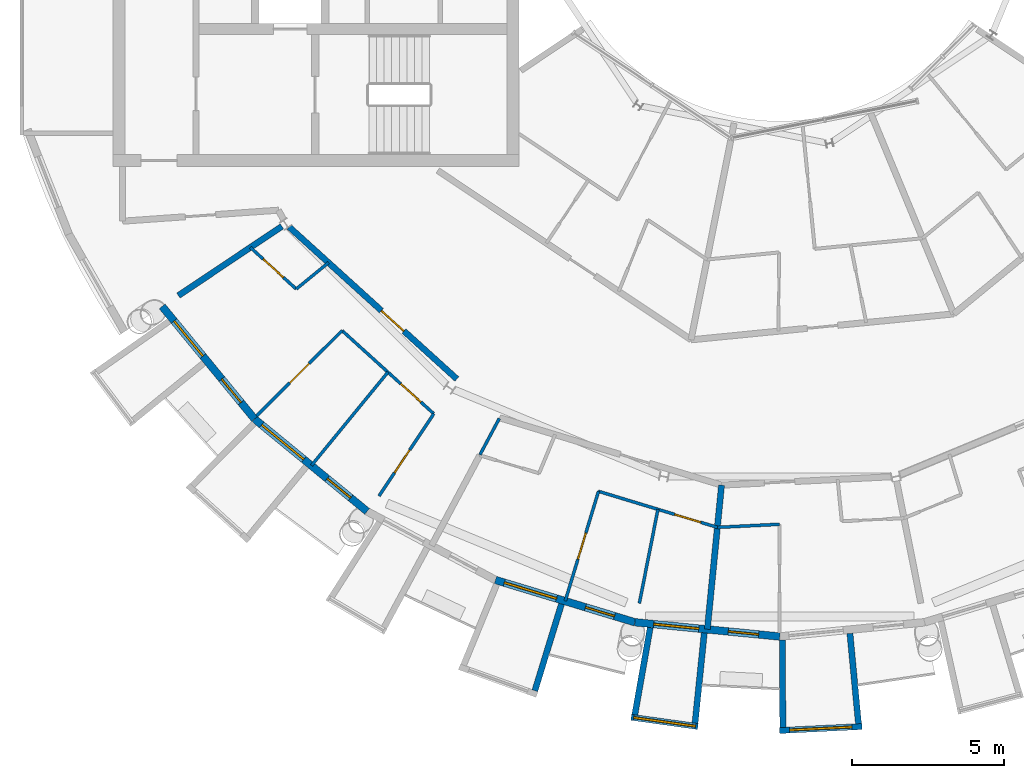
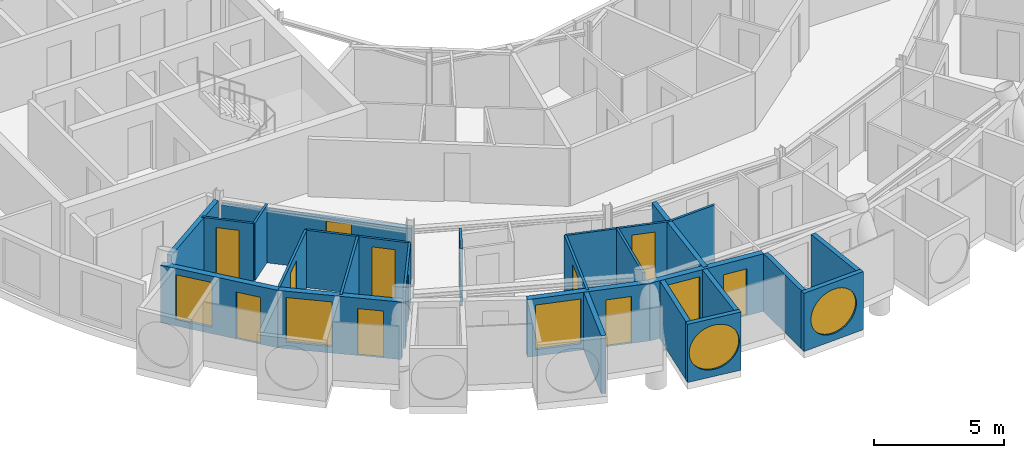
# One storey, part 14 of 27: 25 walls, 11 doors, 6 windows, 17 openings.
"""IFC4 building model written with IfcOpenShell, lengths in metres."""

import ifcopenshell
import ifcopenshell.guid

model = None  # the IFC model being written
_history = None  # IfcOwnerHistory: only IFC2X3 demands one
_inside = {}  # id of a spatial element -> (the spatial element, [elements in it])
_under = {}  # id of a project, library or spatial element -> (it, [spatial elements below it])
_declared = {}  # id of a project -> (the project, [libraries it declares])
_typed = {}  # id of a type object -> (the type object, [elements of that type])
_made_of = {}  # id of a material, layer set ... -> (it, [elements and type objects made of it])


def new_model(schema):
    """Start an empty IFC model of exactly this schema.

    Asked for "IFC4X3", IfcOpenShell would pick the latest addendum, in which some entities
    have other attributes; the version numbers below select the first issue.
    IFC2X3 requires an IfcOwnerHistory on every rooted entity: one is made here for all.
    """
    global model, _history
    if schema == "IFC4X3":
        model = ifcopenshell.file(schema_version=(4, 3, 0, 0))
    else:
        model = ifcopenshell.file(schema=schema)
    _inside.clear()
    _under.clear()
    _declared.clear()
    _typed.clear()
    _made_of.clear()
    _history = None
    if model.schema == "IFC2X3":
        org = make("IfcOrganization", Name="unknown")
        user = make(
            "IfcPersonAndOrganization",
            ThePerson=make("IfcPerson", FamilyName="unknown"),
            TheOrganization=org,
        )
        app = make(
            "IfcApplication",
            ApplicationDeveloper=org,
            Version="unknown",
            ApplicationFullName="unknown",
            ApplicationIdentifier="unknown",
        )
        _history = make(
            "IfcOwnerHistory",
            OwningUser=user,
            OwningApplication=app,
            ChangeAction="ADDED",
            CreationDate=0,
        )
    return model


def make(cls, **values):
    """One entity of the class cls with the attributes given. An attribute that is None is left unset."""
    return model.create_entity(
        cls, **{name: value for name, value in values.items() if value is not None}
    )


def rooted(cls, **values):
    """An entity with a GlobalId (a new one), such as an element, a storey or a relation."""
    return make(cls, GlobalId=ifcopenshell.guid.new(), OwnerHistory=_history, **values)


def si_unit(unit_type, name, prefix=None):
    """IfcSIUnit, for example si_unit("LENGTHUNIT", "METRE", prefix="MILLI")."""
    return make("IfcSIUnit", UnitType=unit_type, Prefix=prefix, Name=name)


def assignment(units):
    """IfcUnitAssignment: the units of a project."""
    return None if units is None else make("IfcUnitAssignment", Units=units)


def point(xyz):
    """IfcCartesianPoint."""
    return None if xyz is None else make("IfcCartesianPoint", Coordinates=xyz)


def direction(xyz):
    """IfcDirection."""
    return None if xyz is None else make("IfcDirection", DirectionRatios=xyz)


def frame(location, z_axis=None, x_axis=None):
    """IfcAxis2Placement3D, a coordinate frame: its origin and axes. An axis left out is left unset."""
    return make(
        "IfcAxis2Placement3D",
        Location=point(location),
        Axis=direction(z_axis),
        RefDirection=direction(x_axis),
    )


def frame_2d(location, x_axis=None):
    """IfcAxis2Placement2D, a coordinate frame in the plane: its origin and x axis."""
    return make(
        "IfcAxis2Placement2D", Location=point(location), RefDirection=direction(x_axis)
    )


def origin():
    """The frame at (0, 0, 0) with its axes left unset."""
    return frame((0.0, 0.0, 0.0))


def place(relative_to, where):
    """IfcLocalPlacement: puts the frame where relative to a parent placement (None: the world)."""
    return make(
        "IfcLocalPlacement", PlacementRelTo=relative_to, RelativePlacement=where
    )


def context(
    kind, dimensions, precision=None, world=None, true_north=None, identifier=None
):
    """IfcGeometricRepresentationContext, for example the 3D "Model" context."""
    return make(
        "IfcGeometricRepresentationContext",
        ContextIdentifier=identifier,
        ContextType=kind,
        CoordinateSpaceDimension=dimensions,
        Precision=precision,
        WorldCoordinateSystem=world,
        TrueNorth=true_north,
    )


def subcontext(parent, identifier, kind, view, scale=None):
    """IfcGeometricRepresentationSubContext, for example "Body" below "Model"."""
    return make(
        "IfcGeometricRepresentationSubContext",
        ContextIdentifier=identifier,
        ContextType=kind,
        ParentContext=parent,
        TargetScale=scale,
        TargetView=view,
    )


def project(units=None, contexts=None):
    """IfcProject with its units and contexts."""
    return rooted(
        "IfcProject",
        Name="project",
        RepresentationContexts=contexts,
        UnitsInContext=assignment(units),
    )


def spatial(cls, under=None, at=None, **own):
    """A site, building, storey or space (cls), placed at a placement, below another one or the project."""
    s = rooted(cls, ObjectPlacement=at, **own)
    if under is not None:
        _under.setdefault(under.id(), (under, []))[1].append(s)
    return s


def profile(cls, at=None, kind="AREA", **sizes):
    """A parametric profile (cls). Its sizes go by their IFC names, for example OverallWidth=200.0."""
    return make(cls, ProfileType=kind, Position=at, **sizes)


def rectangle(**sizes):
    """IfcRectangleProfileDef."""
    return profile("IfcRectangleProfileDef", **sizes)


def circle(**sizes):
    """IfcCircleProfileDef."""
    return profile("IfcCircleProfileDef", **sizes)


def extrude(swept, where, along, depth):
    """IfcExtrudedAreaSolid: the profile swept, set in the frame where, extruded along a direction by depth."""
    return make(
        "IfcExtrudedAreaSolid",
        SweptArea=swept,
        Position=where,
        ExtrudedDirection=direction(along),
        Depth=depth,
    )


def shape(context_of_items, identifier, shape_type, items):
    """IfcShapeRepresentation: the items that make up one representation, for example the "Body"."""
    return make(
        "IfcShapeRepresentation",
        ContextOfItems=context_of_items,
        RepresentationIdentifier=identifier,
        RepresentationType=shape_type,
        Items=items,
    )


def material(Name=None, Category=None):
    """IfcMaterial."""
    return make("IfcMaterial", Name=Name, Category=Category)


def layer(
    of_material, thickness, ventilated=None, Name=None, Category=None, Priority=None
):
    """IfcMaterialLayer: one layer of a wall or slab, of a material (None: an air gap)."""
    return make(
        "IfcMaterialLayer",
        Material=of_material,
        LayerThickness=thickness,
        IsVentilated=ventilated,
        Name=Name,
        Category=Category,
        Priority=Priority,
    )


def layer_set(layers, Name=None):
    """IfcMaterialLayerSet."""
    return make("IfcMaterialLayerSet", MaterialLayers=layers, LayerSetName=Name)


def made_of(thing, what):
    """Note that an element or type object is made of a material, layer set ...; save() writes the relation."""
    if what is not None:
        _made_of.setdefault(what.id(), (what, []))[1].append(thing)
    return thing


def type_object(cls, material=None, **own):
    """A type object (cls), such as IfcWallType, which elements share."""
    return made_of(rooted(cls, **own), material)


def element(
    cls,
    number,
    at=None,
    inside=None,
    cuts=None,
    type_object=None,
    material=None,
    context=None,
    identifier="Body",
    shape_type=None,
    held_by="IfcProductDefinitionShape",
    body=None,
    shapes=None,
    **own,
):
    """One element of the class cls, such as IfcWall. Its Tag is "e" and its number.

    at: its placement. inside: the storey or other place that contains it. cuts: it is an
    opening in that element (IfcRelVoidsElement). A single representation is given by context,
    identifier, shape_type and body (its items); several are given by shapes. held_by: the class
    of the entity that holds the representations. save() writes the other relations.
    """
    e = rooted(cls, Tag="e%d" % number, ObjectPlacement=at, **own)
    if body is not None:
        shapes = [shape(context, identifier, shape_type, body)]
    if shapes is not None:
        e.Representation = make(held_by, Representations=shapes)
    if inside is not None:
        _inside.setdefault(inside.id(), (inside, []))[1].append(e)
    if cuts is not None:
        rooted(
            "IfcRelVoidsElement", RelatingBuildingElement=cuts, RelatedOpeningElement=e
        )
    if type_object is not None:
        _typed.setdefault(type_object.id(), (type_object, []))[1].append(e)
    return made_of(e, material)


def fill(opening, filler):
    """IfcRelFillsElement: the door or window that sits in an opening."""
    return rooted(
        "IfcRelFillsElement",
        RelatingOpeningElement=opening,
        RelatedBuildingElement=filler,
    )


def aggregate(whole, parts):
    """IfcRelAggregates: a whole, such as a stair, and the parts it consists of."""
    return rooted("IfcRelAggregates", RelatingObject=whole, RelatedObjects=parts)


def save(model, path):
    """Write the relations noted so far, then the file.

    IfcRelAggregates (storeys below a building ...), IfcRelContainedInSpatialStructure (elements
    in a storey), IfcRelDefinesByType, IfcRelAssociatesMaterial and IfcRelDeclares: one each for
    every whole, place, type object, material and project.
    """
    for whole, parts in _under.values():
        aggregate(whole, parts)
    for where, things in _inside.values():
        rooted(
            "IfcRelContainedInSpatialStructure",
            RelatedElements=things,
            RelatingStructure=where,
        )
    for kind, things in _typed.values():
        rooted("IfcRelDefinesByType", RelatedObjects=things, RelatingType=kind)
    for what, things in _made_of.values():
        rooted("IfcRelAssociatesMaterial", RelatedObjects=things, RelatingMaterial=what)
    for by, libraries in _declared.values():
        rooted("IfcRelDeclares", RelatingContext=by, RelatedDefinitions=libraries)
    model.write(path)


model = new_model("IFC4")

# Units and contexts
model_context = context("Model", 3, precision=1e-05, world=origin(), true_north=direction((0.0, 1.0)))
body_context = subcontext(model_context, "Body", "Model", "MODEL_VIEW")
ifc_project = project(units=[si_unit("LENGTHUNIT", "METRE"), si_unit("AREAUNIT", "SQUARE_METRE"), si_unit("VOLUMEUNIT", "CUBIC_METRE"), si_unit("PLANEANGLEUNIT", "RADIAN"), si_unit("MASSUNIT", "GRAM", prefix="KILO")], contexts=[model_context])

# Site, building, storey
site_placement = place(None, origin())
site = spatial("IfcSite", under=ifc_project, at=site_placement, CompositionType="ELEMENT")
building_placement = place(site_placement, origin())
building = spatial("IfcBuilding", under=site, at=building_placement, Name="Maasbend Ring Residences", CompositionType="ELEMENT")
storey_placement = place(building_placement, frame((0.0, 0.0, 243.199951171875)))
storey = spatial("IfcBuildingStorey", under=building, at=storey_placement, Name="L70", CompositionType="ELEMENT", Elevation=243.199951171875)

# Wall, opening, door
ifc_material_1 = material(Name="Concrete C30/37", Category="concrete")
ifc_layer_1 = layer(ifc_material_1, 0.199951171875)
ifc_layer_set_1 = layer_set([ifc_layer_1], Name="Concrete C30/37")
wall_type_1 = type_object("IfcWallType", Name="CORRIDOR WALL 200 CONCRETE", PredefinedType="PARTITIONING", material=ifc_layer_set_1)
wall_1_placement = place(storey_placement, frame((-16.181884765625, -10.992919921875, 0.0), z_axis=(0.0, 0.0, 1.0), x_axis=(0.740939653983, -0.671571611339, 0.0)))
wall_1 = element("IfcWall", 1, at=wall_1_placement, inside=storey, type_object=wall_type_1, Name="U-L70-w019", PredefinedType="PARTITIONING", context=body_context, shape_type="SweptSolid", body=[
    extrude(rectangle(XDim=7.46484375, YDim=0.199951171875, at=frame_2d((3.732421875, 0.0))), origin(), (0.0, 0.0, 1.0), 2.449951171875),
])
opening_1_placement = place(wall_1_placement, frame((4.10693359375, 0.0, 0.0)))
opening_1 = element("IfcOpeningElement", 2, at=opening_1_placement, cuts=wall_1, Name="Opening D-7032", PredefinedType="OPENING", context=body_context, shape_type="SweptSolid", body=[
    extrude(rectangle(XDim=1.0, YDim=2.300048828125, at=frame_2d((0.5, 1.14990234375))), frame((0.0, 0.10986328125, 0.0), z_axis=(0.0, -1.0, 0.0), x_axis=(1.0, 0.0, 0.0)), (0.0, 0.0, 1.0), 0.219970703125),
])
ifc_material_2 = material(Name="Timber, fire-rated, painted", Category="wood")
door_type_1 = type_object("IfcDoorType", Name="FLAT ENTRANCE DOOR 1000 X 2300 FIRE-RATED", OperationType="NOTDEFINED", PredefinedType="DOOR", material=ifc_material_2)
door_1_placement = place(opening_1_placement, origin())
door_1 = element("IfcDoor", 3, at=door_1_placement, inside=storey, type_object=door_type_1, Name="D-7032", OperationType="SINGLE_SWING_RIGHT", OverallHeight=2.300048828125, OverallWidth=1.0, PredefinedType="DOOR", context=body_context, shape_type="SweptSolid", body=[
    extrude(rectangle(XDim=1.0, YDim=2.300048828125, at=frame_2d((0.5, 1.14990234375))), frame((0.0, 0.02490234375, 0.0), z_axis=(0.0, -1.0, 0.0), x_axis=(1.0, 0.0, 0.0)), (0.0, 0.0, 1.0), 0.050048828125),
])
fill(opening_1, door_1)

# Wall
ifc_material_3 = material(Name="Pale anodised aluminium panel", Category="aluminium")
ifc_layer_2 = layer(ifc_material_3, 0.199951171875)
ifc_layer_set_2 = layer_set([ifc_layer_2], Name="EW-BOX")
wall_type_2 = type_object("IfcWallType", Name="EW-BOX", PredefinedType="SOLIDWALL", material=ifc_layer_set_2)
wall_2_placement = place(storey_placement, frame((-7.198974609375, -23.426025390625, -0.030029296875), z_axis=(0.0, 0.0, 1.0), x_axis=(-0.293764720054, -0.95587775853, 0.0)))
element("IfcWall", 4, at=wall_2_placement, inside=storey, type_object=wall_type_2, Name="Box side wall S07 right", PredefinedType="SOLIDWALL", context=body_context, shape_type="SweptSolid", body=[
    extrude(rectangle(XDim=2.991943359375, YDim=0.199951171875, at=frame_2d((1.49609375, 0.0))), origin(), (0.0, 0.0, 1.0), 2.72998046875),
])

# Wall, opening, window
wall_3_placement = place(storey_placement, frame((-4.90087890625, -27.160888671875, -0.030029296875), z_axis=(0.0, 0.0, 1.0), x_axis=(0.990395097224, -0.138266233748, 0.0)))
wall_3 = element("IfcWall", 5, at=wall_3_placement, inside=storey, type_object=wall_type_2, Name="Box front S09", PredefinedType="SOLIDWALL", context=body_context, shape_type="SweptSolid", body=[
    extrude(rectangle(XDim=2.22119140625, YDim=0.199951171875, at=frame_2d((1.110595703125, 0.0))), origin(), (0.0, 0.0, 1.0), 2.72998046875),
])
opening_2_placement = place(wall_3_placement, frame((0.070556640625, 0.0, 0.330078125)))
opening_2 = element("IfcOpeningElement", 6, at=opening_2_placement, cuts=wall_3, Name="Opening W-RD", PredefinedType="OPENING", context=body_context, shape_type="SweptSolid", body=[
    extrude(circle(Radius=1.0400390625, at=frame_2d((1.0400390625, 1.0400390625))), frame((0.0, 0.10986328125, 0.0), z_axis=(0.0, -1.0, 0.0), x_axis=(1.0, 0.0, 0.0)), (0.0, 0.0, 1.0), 0.219970703125),
])
ifc_material_4 = material(Name="Aluminium and clear glass", Category="aluminium")
window_type_1 = type_object("IfcWindowType", Name="W-RD", PartitioningType="SINGLE_PANEL", PredefinedType="WINDOW", material=ifc_material_4)
window_1_placement = place(opening_2_placement, origin())
window_1 = element("IfcWindow", 7, at=window_1_placement, inside=storey, type_object=window_type_1, Name="Round window S09", OverallHeight=2.080078125, OverallWidth=2.080078125, PartitioningType="SINGLE_PANEL", PredefinedType="WINDOW", context=body_context, shape_type="SweptSolid", body=[
    extrude(circle(Radius=1.0400390625, at=frame_2d((1.0400390625, 1.0400390625))), frame((0.0, 0.030029296875, 0.0), z_axis=(0.0, -1.0, 0.0), x_axis=(1.0, 0.0, 0.0)), (0.0, 0.0, 1.0), 0.06005859375),
])
fill(opening_2, window_1)

# Walls
wall_4_placement = place(storey_placement, frame((-4.27392578125, -24.205078125, -0.030029296875), z_axis=(0.0, 0.0, 1.0), x_axis=(-0.173637488752, -0.984809637697, 0.0)))
element("IfcWall", 8, at=wall_4_placement, inside=storey, type_object=wall_type_2, Name="Box side wall S09 left", PredefinedType="SOLIDWALL", context=body_context, shape_type="SweptSolid", body=[
    extrude(rectangle(XDim=2.92041015625, YDim=0.199951171875, at=frame_2d((1.460205078125, 0.0))), origin(), (0.0, 0.0, 1.0), 2.72998046875),
])
wall_5_placement = place(storey_placement, frame((-2.489990234375, -24.3798828125, -0.030029296875), z_axis=(0.0, 0.0, 1.0), x_axis=(-0.101894312119, -0.994795229762, 0.0)))
element("IfcWall", 9, at=wall_5_placement, inside=storey, type_object=wall_type_2, Name="Box side wall S09 right", PredefinedType="SOLIDWALL", context=body_context, shape_type="SweptSolid", body=[
    extrude(rectangle(XDim=2.99267578125, YDim=0.199951171875, at=frame_2d((1.496337890625, 0.0))), origin(), (0.0, 0.0, 1.0), 2.72998046875),
])

# Wall, opening, window
wall_6_placement = place(storey_placement, frame((-0.0048828125, -27.60009765625, -0.030029296875), z_axis=(0.0, 0.0, 1.0), x_axis=(0.998801130548, 0.048952033826, 0.0)))
wall_6 = element("IfcWall", 10, at=wall_6_placement, inside=storey, type_object=wall_type_2, Name="Box front S11", PredefinedType="SOLIDWALL", context=body_context, shape_type="SweptSolid", body=[
    extrude(rectangle(XDim=2.718017578125, YDim=0.199951171875, at=frame_2d((1.35888671875, 0.0))), origin(), (0.0, 0.0, 1.0), 2.72998046875),
])
opening_3_placement = place(wall_6_placement, frame((0.319091796875, 0.0, 0.330078125)))
opening_3 = element("IfcOpeningElement", 11, at=opening_3_placement, cuts=wall_6, Name="Opening W-RD", PredefinedType="OPENING", context=body_context, shape_type="SweptSolid", body=[
    extrude(circle(Radius=1.0400390625, at=frame_2d((1.0400390625, 1.0400390625))), frame((0.0, 0.10986328125, 0.0), z_axis=(0.0, -1.0, 0.0), x_axis=(1.0, 0.0, 0.0)), (0.0, 0.0, 1.0), 0.219970703125),
])
window_2_placement = place(opening_3_placement, origin())
window_2 = element("IfcWindow", 12, at=window_2_placement, inside=storey, type_object=window_type_1, Name="Round window S11", OverallHeight=2.080078125, OverallWidth=2.080078125, PartitioningType="SINGLE_PANEL", PredefinedType="WINDOW", context=body_context, shape_type="SweptSolid", body=[
    extrude(circle(Radius=1.0400390625, at=frame_2d((1.0400390625, 1.0400390625))), frame((0.0, 0.030029296875, 0.0), z_axis=(0.0, -1.0, 0.0), x_axis=(1.0, 0.0, 0.0)), (0.0, 0.0, 1.0), 0.06005859375),
])
fill(opening_3, window_2)

# Walls
wall_7_placement = place(storey_placement, frame((0.089111328125, -24.616943359375, -0.030029296875), z_axis=(0.0, 0.0, 1.0), x_axis=(0.003811916396, -0.99999273462, 0.0)))
element("IfcWall", 13, at=wall_7_placement, inside=storey, type_object=wall_type_2, Name="Box side wall S11 left", PredefinedType="SOLIDWALL", context=body_context, shape_type="SweptSolid", body=[
    extrude(rectangle(XDim=2.882080078125, YDim=0.199951171875, at=frame_2d((1.44091796875, 0.0))), origin(), (0.0, 0.0, 1.0), 2.72998046875),
])
wall_8_placement = place(storey_placement, frame((2.31396484375, -24.39794921875, -0.030029296875), z_axis=(0.0, 0.0, 1.0), x_axis=(0.094235386483, -0.99554994447, 0.0)))
element("IfcWall", 14, at=wall_8_placement, inside=storey, type_object=wall_type_2, Name="Box side wall S11 right", PredefinedType="SOLIDWALL", context=body_context, shape_type="SweptSolid", body=[
    extrude(rectangle(XDim=2.992431640625, YDim=0.199951171875, at=frame_2d((1.49609375, 0.0))), origin(), (0.0, 0.0, 1.0), 2.72998046875),
])

# Wall, openings, door, window
ifc_material_5 = material(Name="Aluminium clad insulated panel", Category="aluminium")
ifc_layer_3 = layer(ifc_material_5, 0.25)
ifc_layer_set_3 = layer_set([ifc_layer_3], Name="EW-GL")
wall_type_3 = type_object("IfcWallType", Name="EW-GL", PredefinedType="SOLIDWALL", material=ifc_layer_set_3)
wall_9_placement = place(storey_placement, frame((-20.37109375, -13.611083984375, 0.0), z_axis=(0.0, 0.0, 1.0), x_axis=(0.634396836208, -0.773007538262, 0.0)))
wall_9 = element("IfcWall", 15, at=wall_9_placement, inside=storey, type_object=wall_type_3, Name="External wall S01", PredefinedType="SOLIDWALL", context=body_context, shape_type="SweptSolid", body=[
    extrude(rectangle(XDim=4.80322265625, YDim=0.25, at=frame_2d((2.401611328125, 0.0))), origin(), (0.0, 0.0, 1.0), 2.699951171875),
])
opening_4_placement = place(wall_9_placement, frame((0.6201171875, 0.0, 0.300048828125)))
opening_4 = element("IfcOpeningElement", 16, at=opening_4_placement, cuts=wall_9, Name="Opening W-BN", PredefinedType="OPENING", context=body_context, shape_type="SweptSolid", body=[
    extrude(rectangle(XDim=1.5, YDim=2.10009765625, at=frame_2d((0.75, 1.050048828125))), frame((0.0, 0.135009765625, 0.0), z_axis=(0.0, -1.0, 0.0), x_axis=(1.0, 0.0, 0.0)), (0.0, 0.0, 1.0), 0.27001953125),
])
opening_5_placement = place(wall_9_placement, frame((3.09912109375, 0.0, 0.0)))
opening_5 = element("IfcOpeningElement", 17, at=opening_5_placement, cuts=wall_9, Name="Opening D-LG", PredefinedType="OPENING", context=body_context, shape_type="SweptSolid", body=[
    extrude(rectangle(XDim=1.0, YDim=2.199951171875, at=frame_2d((0.5, 1.10009765625))), frame((0.0, 0.135009765625, 0.0), z_axis=(0.0, -1.0, 0.0), x_axis=(1.0, 0.0, 0.0)), (0.0, 0.0, 1.0), 0.27001953125),
])
ifc_material_6 = material(Name="Aluminium and clear glass", Category="aluminium")
door_type_2 = type_object("IfcDoorType", Name="D-LG", OperationType="SINGLE_SWING_LEFT", PredefinedType="DOOR", material=ifc_material_6)
door_2_placement = place(opening_5_placement, origin())
door_2 = element("IfcDoor", 18, at=door_2_placement, inside=storey, type_object=door_type_2, Name="Loggia door S02", OperationType="SINGLE_SWING_LEFT", OverallHeight=2.199951171875, OverallWidth=1.0, PredefinedType="DOOR", context=body_context, shape_type="SweptSolid", body=[
    extrude(rectangle(XDim=1.0, YDim=2.199951171875, at=frame_2d((0.5, 1.10009765625))), frame((0.0, 0.02490234375, 0.0), z_axis=(0.0, -1.0, 0.0), x_axis=(1.0, 0.0, 0.0)), (0.0, 0.0, 1.0), 0.050048828125),
])
fill(opening_5, door_2)
ifc_material_7 = material(Name="Aluminium and clear glass", Category="aluminium")
window_type_2 = type_object("IfcWindowType", Name="W-BN", PartitioningType="SINGLE_PANEL", PredefinedType="WINDOW", material=ifc_material_7)
window_3_placement = place(opening_4_placement, origin())
window_3 = element("IfcWindow", 19, at=window_3_placement, inside=storey, type_object=window_type_2, Name="Window S01 room to box", OverallHeight=2.10009765625, OverallWidth=1.5, PartitioningType="SINGLE_PANEL", PredefinedType="WINDOW", context=body_context, shape_type="SweptSolid", body=[
    extrude(rectangle(XDim=1.5, YDim=2.10009765625, at=frame_2d((0.75, 1.050048828125))), frame((0.0, 0.030029296875, 0.0), z_axis=(0.0, -1.0, 0.0), x_axis=(1.0, 0.0, 0.0)), (0.0, 0.0, 1.0), 0.06005859375),
])
fill(opening_4, window_3)

wall_10_placement = place(storey_placement, frame((-17.323974609375, -17.323974609375, 0.0), z_axis=(0.0, 0.0, 1.0), x_axis=(0.773007538262, -0.634396836208, 0.0)))
wall_10 = element("IfcWall", 20, at=wall_10_placement, inside=storey, type_object=wall_type_3, Name="External wall S02", PredefinedType="SOLIDWALL", context=body_context, shape_type="SweptSolid", body=[
    extrude(rectangle(XDim=4.80322265625, YDim=0.25, at=frame_2d((2.401611328125, 0.0))), origin(), (0.0, 0.0, 1.0), 2.699951171875),
])
opening_6_placement = place(wall_10_placement, frame((0.3037109375, 0.0, 0.300048828125)))
opening_6 = element("IfcOpeningElement", 21, at=opening_6_placement, cuts=wall_10, Name="Opening W-BX", PredefinedType="OPENING", context=body_context, shape_type="SweptSolid", body=[
    extrude(rectangle(XDim=1.800048828125, YDim=2.10009765625, at=frame_2d((0.89990234375, 1.050048828125))), frame((0.0, 0.135009765625, 0.0), z_axis=(0.0, -1.0, 0.0), x_axis=(1.0, 0.0, 0.0)), (0.0, 0.0, 1.0), 0.27001953125),
])
opening_7_placement = place(wall_10_placement, frame((3.09912109375, 0.0, 0.0)))
opening_7 = element("IfcOpeningElement", 22, at=opening_7_placement, cuts=wall_10, Name="Opening D-LG", PredefinedType="OPENING", context=body_context, shape_type="SweptSolid", body=[
    extrude(rectangle(XDim=1.0, YDim=2.199951171875, at=frame_2d((0.5, 1.10009765625))), frame((0.0, 0.135009765625, 0.0), z_axis=(0.0, -1.0, 0.0), x_axis=(1.0, 0.0, 0.0)), (0.0, 0.0, 1.0), 0.27001953125),
])
door_3_placement = place(opening_7_placement, origin())
door_3 = element("IfcDoor", 23, at=door_3_placement, inside=storey, type_object=door_type_2, Name="Loggia door S04", OperationType="SINGLE_SWING_LEFT", OverallHeight=2.199951171875, OverallWidth=1.0, PredefinedType="DOOR", context=body_context, shape_type="SweptSolid", body=[
    extrude(rectangle(XDim=1.0, YDim=2.199951171875, at=frame_2d((0.5, 1.10009765625))), frame((0.0, 0.02490234375, 0.0), z_axis=(0.0, -1.0, 0.0), x_axis=(1.0, 0.0, 0.0)), (0.0, 0.0, 1.0), 0.050048828125),
])
fill(opening_7, door_3)
ifc_material_8 = material(Name="Aluminium and clear glass", Category="aluminium")
window_type_3 = type_object("IfcWindowType", Name="W-BX", PartitioningType="DOUBLE_PANEL_VERTICAL", PredefinedType="WINDOW", material=ifc_material_8)
window_4_placement = place(opening_6_placement, origin())
window_4 = element("IfcWindow", 24, at=window_4_placement, inside=storey, type_object=window_type_3, Name="Window S03 room to box", OverallHeight=2.10009765625, OverallWidth=1.800048828125, PartitioningType="SINGLE_PANEL", PredefinedType="WINDOW", context=body_context, shape_type="SweptSolid", body=[
    extrude(rectangle(XDim=1.800048828125, YDim=2.10009765625, at=frame_2d((0.89990234375, 1.050048828125))), frame((0.0, 0.030029296875, 0.0), z_axis=(0.0, -1.0, 0.0), x_axis=(1.0, 0.0, 0.0)), (0.0, 0.0, 1.0), 0.06005859375),
])
fill(opening_6, window_4)

wall_11_placement = place(storey_placement, frame((-9.3759765625, -22.635009765625, 0.0), z_axis=(0.0, 0.0, 1.0), x_axis=(0.956947414517, -0.290261340605, 0.0)))
wall_11 = element("IfcWall", 25, at=wall_11_placement, inside=storey, type_object=wall_type_3, Name="External wall S04", PredefinedType="SOLIDWALL", context=body_context, shape_type="SweptSolid", body=[
    extrude(rectangle(XDim=4.802734375, YDim=0.25, at=frame_2d((2.4013671875, 0.0))), origin(), (0.0, 0.0, 1.0), 2.699951171875),
])
opening_8_placement = place(wall_11_placement, frame((0.3037109375, 0.0, 0.300048828125)))
opening_8 = element("IfcOpeningElement", 26, at=opening_8_placement, cuts=wall_11, Name="Opening W-BX", PredefinedType="OPENING", context=body_context, shape_type="SweptSolid", body=[
    extrude(rectangle(XDim=1.800048828125, YDim=2.10009765625, at=frame_2d((0.89990234375, 1.050048828125))), frame((0.0, 0.135009765625, 0.0), z_axis=(0.0, -1.0, 0.0), x_axis=(1.0, 0.0, 0.0)), (0.0, 0.0, 1.0), 0.27001953125),
])
opening_9_placement = place(wall_11_placement, frame((3.09912109375, 0.0, 0.0)))
opening_9 = element("IfcOpeningElement", 27, at=opening_9_placement, cuts=wall_11, Name="Opening D-LG", PredefinedType="OPENING", context=body_context, shape_type="SweptSolid", body=[
    extrude(rectangle(XDim=1.0, YDim=2.199951171875, at=frame_2d((0.5, 1.10009765625))), frame((0.0, 0.135009765625, 0.0), z_axis=(0.0, -1.0, 0.0), x_axis=(1.0, 0.0, 0.0)), (0.0, 0.0, 1.0), 0.27001953125),
])
door_4_placement = place(opening_9_placement, origin())
door_4 = element("IfcDoor", 28, at=door_4_placement, inside=storey, type_object=door_type_2, Name="Loggia door S08", OperationType="SINGLE_SWING_LEFT", OverallHeight=2.199951171875, OverallWidth=1.0, PredefinedType="DOOR", context=body_context, shape_type="SweptSolid", body=[
    extrude(rectangle(XDim=1.0, YDim=2.199951171875, at=frame_2d((0.5, 1.10009765625))), frame((0.0, 0.02490234375, 0.0), z_axis=(0.0, -1.0, 0.0), x_axis=(1.0, 0.0, 0.0)), (0.0, 0.0, 1.0), 0.050048828125),
])
fill(opening_9, door_4)
window_5_placement = place(opening_8_placement, origin())
window_5 = element("IfcWindow", 29, at=window_5_placement, inside=storey, type_object=window_type_3, Name="Window S07 room to box", OverallHeight=2.10009765625, OverallWidth=1.800048828125, PartitioningType="SINGLE_PANEL", PredefinedType="WINDOW", context=body_context, shape_type="SweptSolid", body=[
    extrude(rectangle(XDim=1.800048828125, YDim=2.10009765625, at=frame_2d((0.89990234375, 1.050048828125))), frame((0.0, 0.030029296875, 0.0), z_axis=(0.0, -1.0, 0.0), x_axis=(1.0, 0.0, 0.0)), (0.0, 0.0, 1.0), 0.06005859375),
])
fill(opening_8, window_5)

wall_12_placement = place(storey_placement, frame((-4.780029296875, -24.029052734375, 0.0), z_axis=(0.0, 0.0, 1.0), x_axis=(0.995181568754, -0.098049197923, 0.0)))
wall_12 = element("IfcWall", 30, at=wall_12_placement, inside=storey, type_object=wall_type_3, Name="External wall S05", PredefinedType="SOLIDWALL", context=body_context, shape_type="SweptSolid", body=[
    extrude(rectangle(XDim=4.80322265625, YDim=0.25, at=frame_2d((2.401611328125, 0.0))), origin(), (0.0, 0.0, 1.0), 2.699951171875),
])
opening_10_placement = place(wall_12_placement, frame((0.6201171875, 0.0, 0.300048828125)))
opening_10 = element("IfcOpeningElement", 31, at=opening_10_placement, cuts=wall_12, Name="Opening W-BN", PredefinedType="OPENING", context=body_context, shape_type="SweptSolid", body=[
    extrude(rectangle(XDim=1.5, YDim=2.10009765625, at=frame_2d((0.75, 1.050048828125))), frame((0.0, 0.135009765625, 0.0), z_axis=(0.0, -1.0, 0.0), x_axis=(1.0, 0.0, 0.0)), (0.0, 0.0, 1.0), 0.27001953125),
])
opening_11_placement = place(wall_12_placement, frame((3.09912109375, 0.0, 0.0)))
opening_11 = element("IfcOpeningElement", 32, at=opening_11_placement, cuts=wall_12, Name="Opening D-LG", PredefinedType="OPENING", context=body_context, shape_type="SweptSolid", body=[
    extrude(rectangle(XDim=1.0, YDim=2.199951171875, at=frame_2d((0.5, 1.10009765625))), frame((0.0, 0.135009765625, 0.0), z_axis=(0.0, -1.0, 0.0), x_axis=(1.0, 0.0, 0.0)), (0.0, 0.0, 1.0), 0.27001953125),
])
door_5_placement = place(opening_11_placement, origin())
door_5 = element("IfcDoor", 33, at=door_5_placement, inside=storey, type_object=door_type_2, Name="Loggia door S10", OperationType="SINGLE_SWING_LEFT", OverallHeight=2.199951171875, OverallWidth=1.0, PredefinedType="DOOR", context=body_context, shape_type="SweptSolid", body=[
    extrude(rectangle(XDim=1.0, YDim=2.199951171875, at=frame_2d((0.5, 1.10009765625))), frame((0.0, 0.02490234375, 0.0), z_axis=(0.0, -1.0, 0.0), x_axis=(1.0, 0.0, 0.0)), (0.0, 0.0, 1.0), 0.050048828125),
])
fill(opening_11, door_5)
window_6_placement = place(opening_10_placement, origin())
window_6 = element("IfcWindow", 34, at=window_6_placement, inside=storey, type_object=window_type_2, Name="Window S09 room to box", OverallHeight=2.10009765625, OverallWidth=1.5, PartitioningType="SINGLE_PANEL", PredefinedType="WINDOW", context=body_context, shape_type="SweptSolid", body=[
    extrude(rectangle(XDim=1.5, YDim=2.10009765625, at=frame_2d((0.75, 1.050048828125))), frame((0.0, 0.030029296875, 0.0), z_axis=(0.0, -1.0, 0.0), x_axis=(1.0, 0.0, 0.0)), (0.0, 0.0, 1.0), 0.06005859375),
])
fill(opening_10, window_6)

# Wall
ifc_material_9 = material(Name="Gypsum board on steel studs", Category="steel")
ifc_layer_4 = layer(ifc_material_9, 0.10009765625)
ifc_layer_set_4 = layer_set([ifc_layer_4], Name="PARTITION 100 GYPSUM")
wall_type_4 = type_object("IfcWallType", Name="PARTITION 100 GYPSUM", PredefinedType="PARTITIONING", material=ifc_layer_set_4)
wall_13_placement = place(storey_placement, frame((-2.05810546875, -20.89892578125, 0.0), z_axis=(0.0, 0.0, 1.0), x_axis=(0.998793793092, 0.049101516075, 0.0)))
element("IfcWall", 35, at=wall_13_placement, inside=storey, type_object=wall_type_4, Name="U-L70-w003", PredefinedType="PARTITIONING", context=body_context, shape_type="SweptSolid", body=[
    extrude(rectangle(XDim=2.053466796875, YDim=0.10009765625, at=frame_2d((1.02685546875, 0.0))), origin(), (0.0, 0.0, 1.0), 2.699951171875),
])

# Wall, opening, door
wall_14_placement = place(storey_placement, frame((-5.98193359375, -19.708984375, 0.0), z_axis=(0.0, 0.0, 1.0), x_axis=(0.956962336556, -0.290212140362, 0.0)))
wall_14 = element("IfcWall", 36, at=wall_14_placement, inside=storey, type_object=wall_type_4, Name="U-L70-w006", PredefinedType="PARTITIONING", context=body_context, shape_type="SweptSolid", body=[
    extrude(rectangle(XDim=4.103515625, YDim=0.10009765625, at=frame_2d((2.0517578125, 0.0))), origin(), (0.0, 0.0, 1.0), 2.699951171875),
])
opening_12_placement = place(wall_14_placement, frame((2.6279296875, 0.0, 0.0)))
opening_12 = element("IfcOpeningElement", 37, at=opening_12_placement, cuts=wall_14, Name="Opening D-7040", PredefinedType="OPENING", context=body_context, shape_type="SweptSolid", body=[
    extrude(rectangle(XDim=0.89990234375, YDim=2.300048828125, at=frame_2d((0.449951171875, 1.14990234375))), frame((0.0, 0.06005859375, 0.0), z_axis=(0.0, -1.0, 0.0), x_axis=(1.0, 0.0, 0.0)), (0.0, 0.0, 1.0), 0.1201171875),
])
ifc_material_10 = material(Name="Timber, painted", Category="wood")
door_type_3 = type_object("IfcDoorType", Name="INTERNAL DOOR 900 X 2300", OperationType="NOTDEFINED", PredefinedType="DOOR", material=ifc_material_10)
door_6_placement = place(opening_12_placement, origin())
door_6 = element("IfcDoor", 38, at=door_6_placement, inside=storey, type_object=door_type_3, Name="D-7040", OperationType="SINGLE_SWING_RIGHT", OverallHeight=2.300048828125, OverallWidth=0.89990234375, PredefinedType="DOOR", context=body_context, shape_type="SweptSolid", body=[
    extrude(rectangle(XDim=0.89990234375, YDim=2.300048828125, at=frame_2d((0.449951171875, 1.14990234375))), frame((0.0, 0.02490234375, 0.0), z_axis=(0.0, -1.0, 0.0), x_axis=(1.0, 0.0, 0.0)), (0.0, 0.0, 1.0), 0.050048828125),
])
fill(opening_12, door_6)

wall_15_placement = place(storey_placement, frame((-17.4609375, -11.6669921875, 0.0), z_axis=(0.0, 0.0, 1.0), x_axis=(0.740773018627, -0.671755412984, 0.0)))
wall_15 = element("IfcWall", 39, at=wall_15_placement, inside=storey, type_object=wall_type_4, Name="U-L70-w011", PredefinedType="PARTITIONING", context=body_context, shape_type="SweptSolid", body=[
    extrude(rectangle(XDim=2.041015625, YDim=0.10009765625, at=frame_2d((1.0205078125, 0.0))), origin(), (0.0, 0.0, 1.0), 2.699951171875),
])
opening_13_placement = place(wall_15_placement, frame((0.571044921875, 0.0, 0.0)))
opening_13 = element("IfcOpeningElement", 40, at=opening_13_placement, cuts=wall_15, Name="Opening D-7033", PredefinedType="OPENING", context=body_context, shape_type="SweptSolid", body=[
    extrude(rectangle(XDim=0.89990234375, YDim=2.300048828125, at=frame_2d((0.449951171875, 1.14990234375))), frame((0.0, 0.06005859375, 0.0), z_axis=(0.0, -1.0, 0.0), x_axis=(1.0, 0.0, 0.0)), (0.0, 0.0, 1.0), 0.1201171875),
])
door_7_placement = place(opening_13_placement, origin())
door_7 = element("IfcDoor", 41, at=door_7_placement, inside=storey, type_object=door_type_3, Name="D-7033", OperationType="SINGLE_SWING_LEFT", OverallHeight=2.300048828125, OverallWidth=0.89990234375, PredefinedType="DOOR", context=body_context, shape_type="SweptSolid", body=[
    extrude(rectangle(XDim=0.89990234375, YDim=2.300048828125, at=frame_2d((0.449951171875, 1.14990234375))), frame((0.0, 0.02490234375, 0.0), z_axis=(0.0, -1.0, 0.0), x_axis=(1.0, 0.0, 0.0)), (0.0, 0.0, 1.0), 0.050048828125),
])
fill(opening_13, door_7)

wall_16_placement = place(storey_placement, frame((-14.43701171875, -14.408935546875, 0.0), z_axis=(0.0, 0.0, 1.0), x_axis=(0.740802780294, -0.671722592078, 0.0)))
wall_16 = element("IfcWall", 42, at=wall_16_placement, inside=storey, type_object=wall_type_4, Name="U-L70-w012", PredefinedType="PARTITIONING", context=body_context, shape_type="SweptSolid", body=[
    extrude(rectangle(XDim=4.08203125, YDim=0.10009765625, at=frame_2d((2.041015625, 0.0))), origin(), (0.0, 0.0, 1.0), 2.699951171875),
])
opening_14_placement = place(wall_16_placement, frame((2.612060546875, 0.0, 0.0)))
opening_14 = element("IfcOpeningElement", 43, at=opening_14_placement, cuts=wall_16, Name="Opening D-7035", PredefinedType="OPENING", context=body_context, shape_type="SweptSolid", body=[
    extrude(rectangle(XDim=0.89990234375, YDim=2.300048828125, at=frame_2d((0.449951171875, 1.14990234375))), frame((0.0, 0.06005859375, 0.0), z_axis=(0.0, -1.0, 0.0), x_axis=(1.0, 0.0, 0.0)), (0.0, 0.0, 1.0), 0.1201171875),
])
door_8_placement = place(opening_14_placement, origin())
door_8 = element("IfcDoor", 44, at=door_8_placement, inside=storey, type_object=door_type_3, Name="D-7035", OperationType="SINGLE_SWING_RIGHT", OverallHeight=2.300048828125, OverallWidth=0.89990234375, PredefinedType="DOOR", context=body_context, shape_type="SweptSolid", body=[
    extrude(rectangle(XDim=0.89990234375, YDim=2.300048828125, at=frame_2d((0.449951171875, 1.14990234375))), frame((0.0, 0.02490234375, 0.0), z_axis=(0.0, -1.0, 0.0), x_axis=(1.0, 0.0, 0.0)), (0.0, 0.0, 1.0), 0.050048828125),
])
fill(opening_14, door_8)

wall_17_placement = place(storey_placement, frame((-17.251953125, -17.218994140625, 0.0), z_axis=(0.0, 0.0, 1.0), x_axis=(0.707720109647, 0.706492920277, 0.0)))
wall_17 = element("IfcWall", 45, at=wall_17_placement, inside=storey, type_object=wall_type_4, Name="U-L70-w035", PredefinedType="PARTITIONING", context=body_context, shape_type="SweptSolid", body=[
    extrude(rectangle(XDim=3.978759765625, YDim=0.10009765625, at=frame_2d((1.9892578125, 0.0))), origin(), (0.0, 0.0, 1.0), 2.699951171875),
])
opening_15_placement = place(wall_17_placement, frame((1.5390625, 0.0, 0.0)))
opening_15 = element("IfcOpeningElement", 46, at=opening_15_placement, cuts=wall_17, Name="Opening D-7034", PredefinedType="OPENING", context=body_context, shape_type="SweptSolid", body=[
    extrude(rectangle(XDim=0.89990234375, YDim=2.300048828125, at=frame_2d((0.449951171875, 1.14990234375))), frame((0.0, 0.06005859375, 0.0), z_axis=(0.0, -1.0, 0.0), x_axis=(1.0, 0.0, 0.0)), (0.0, 0.0, 1.0), 0.1201171875),
])
door_9_placement = place(opening_15_placement, origin())
door_9 = element("IfcDoor", 47, at=door_9_placement, inside=storey, type_object=door_type_3, Name="D-7034", OperationType="SINGLE_SWING_RIGHT", OverallHeight=2.300048828125, OverallWidth=0.89990234375, PredefinedType="DOOR", context=body_context, shape_type="SweptSolid", body=[
    extrude(rectangle(XDim=0.89990234375, YDim=2.300048828125, at=frame_2d((0.449951171875, 1.14990234375))), frame((0.0, 0.02490234375, 0.0), z_axis=(0.0, -1.0, 0.0), x_axis=(1.0, 0.0, 0.0)), (0.0, 0.0, 1.0), 0.050048828125),
])
fill(opening_15, door_9)

# Walls
wall_18_placement = place(storey_placement, frame((-15.948974609375, -13.0380859375, 0.0), z_axis=(0.0, 0.0, 1.0), x_axis=(0.774099733189, 0.633063664315, 0.0)))
element("IfcWall", 48, at=wall_18_placement, inside=storey, type_object=wall_type_4, Name="U-L70-w038", PredefinedType="PARTITIONING", context=body_context, shape_type="SweptSolid", body=[
    extrude(rectangle(XDim=1.37451171875, YDim=0.10009765625, at=frame_2d((0.687255859375, 0.0))), origin(), (0.0, 0.0, 1.0), 2.699951171875),
])
wall_19_placement = place(storey_placement, frame((-15.445068359375, -18.85693359375, 0.0), z_axis=(0.0, 0.0, 1.0), x_axis=(0.633648720881, 0.77362090104, 0.0)))
element("IfcWall", 49, at=wall_19_placement, inside=storey, type_object=wall_type_4, Name="U-L70-w040", PredefinedType="PARTITIONING", context=body_context, shape_type="SweptSolid", body=[
    extrude(rectangle(XDim=3.978515625, YDim=0.10009765625, at=frame_2d((1.9892578125, 0.0))), origin(), (0.0, 0.0, 1.0), 2.699951171875),
])

# Wall, opening, door
wall_20_placement = place(storey_placement, frame((-13.217041015625, -19.864013671875, 0.0), z_axis=(0.0, 0.0, 1.0), x_axis=(0.553749157203, 0.832683535862, 0.0)))
wall_20 = element("IfcWall", 50, at=wall_20_placement, inside=storey, type_object=wall_type_4, Name="U-L70-w042", PredefinedType="PARTITIONING", context=body_context, shape_type="SweptSolid", body=[
    extrude(rectangle(XDim=3.259521484375, YDim=0.10009765625, at=frame_2d((1.6298828125, 0.0))), origin(), (0.0, 0.0, 1.0), 2.699951171875),
])
opening_16_placement = place(wall_20_placement, frame((0.922119140625, 0.0, 0.0)))
opening_16 = element("IfcOpeningElement", 51, at=opening_16_placement, cuts=wall_20, Name="Opening D-7036", PredefinedType="OPENING", context=body_context, shape_type="SweptSolid", body=[
    extrude(rectangle(XDim=0.89990234375, YDim=2.300048828125, at=frame_2d((0.449951171875, 1.14990234375))), frame((0.0, 0.06005859375, 0.0), z_axis=(0.0, -1.0, 0.0), x_axis=(1.0, 0.0, 0.0)), (0.0, 0.0, 1.0), 0.1201171875),
])
door_10_placement = place(opening_16_placement, origin())
door_10 = element("IfcDoor", 52, at=door_10_placement, inside=storey, type_object=door_type_3, Name="D-7036", OperationType="SINGLE_SWING_LEFT", OverallHeight=2.300048828125, OverallWidth=0.89990234375, PredefinedType="DOOR", context=body_context, shape_type="SweptSolid", body=[
    extrude(rectangle(XDim=0.89990234375, YDim=2.300048828125, at=frame_2d((0.449951171875, 1.14990234375))), frame((0.0, 0.02490234375, 0.0), z_axis=(0.0, -1.0, 0.0), x_axis=(1.0, 0.0, 0.0)), (0.0, 0.0, 1.0), 0.050048828125),
])
fill(opening_16, door_10)

wall_21_placement = place(storey_placement, frame((-7.075927734375, -23.324951171875, 0.0), z_axis=(0.0, 0.0, 1.0), x_axis=(0.290364312451, 0.956916175041, 0.0)))
wall_21 = element("IfcWall", 53, at=wall_21_placement, inside=storey, type_object=wall_type_4, Name="U-L70-w050", PredefinedType="PARTITIONING", context=body_context, shape_type="SweptSolid", body=[
    extrude(rectangle(XDim=3.77783203125, YDim=0.10009765625, at=frame_2d((1.888916015625, 0.0))), origin(), (0.0, 0.0, 1.0), 2.699951171875),
])
opening_17_placement = place(wall_21_placement, frame((1.43896484375, 0.0, 0.0)))
opening_17 = element("IfcOpeningElement", 54, at=opening_17_placement, cuts=wall_21, Name="Opening D-7039", PredefinedType="OPENING", context=body_context, shape_type="SweptSolid", body=[
    extrude(rectangle(XDim=0.89990234375, YDim=2.300048828125, at=frame_2d((0.449951171875, 1.14990234375))), frame((0.0, 0.06005859375, 0.0), z_axis=(0.0, -1.0, 0.0), x_axis=(1.0, 0.0, 0.0)), (0.0, 0.0, 1.0), 0.1201171875),
])
door_11_placement = place(opening_17_placement, origin())
door_11 = element("IfcDoor", 55, at=door_11_placement, inside=storey, type_object=door_type_3, Name="D-7039", OperationType="SINGLE_SWING_RIGHT", OverallHeight=2.300048828125, OverallWidth=0.89990234375, PredefinedType="DOOR", context=body_context, shape_type="SweptSolid", body=[
    extrude(rectangle(XDim=0.89990234375, YDim=2.300048828125, at=frame_2d((0.449951171875, 1.14990234375))), frame((0.0, 0.02490234375, 0.0), z_axis=(0.0, -1.0, 0.0), x_axis=(1.0, 0.0, 0.0)), (0.0, 0.0, 1.0), 0.050048828125),
])
fill(opening_17, door_11)

# Walls
wall_22_placement = place(storey_placement, frame((-4.632080078125, -23.405029296875, 0.0), z_axis=(0.0, 0.0, 1.0), x_axis=(0.193932328519, 0.98101490914, 0.0)))
element("IfcWall", 56, at=wall_22_placement, inside=storey, type_object=wall_type_4, Name="U-L70-w093", PredefinedType="PARTITIONING", context=body_context, shape_type="SweptSolid", body=[
    extrude(rectangle(XDim=3.1611328125, YDim=0.10009765625, at=frame_2d((1.58056640625, 0.0))), origin(), (0.0, 0.0, 1.0), 2.699951171875),
])
wall_23_placement = place(storey_placement, frame((-9.888916015625, -18.501953125, 0.0), z_axis=(0.0, 0.0, 1.0), x_axis=(0.471138605408, 0.882059189904, 0.0)))
element("IfcWall", 57, at=wall_23_placement, inside=storey, type_object=wall_type_4, Name="U-L70-w128", PredefinedType="PARTITIONING", context=body_context, shape_type="SweptSolid", body=[
    extrude(rectangle(XDim=1.358154296875, YDim=0.10009765625, at=frame_2d((0.67919921875, 0.0))), origin(), (0.0, 0.0, 1.0), 2.699951171875),
])
ifc_material_11 = material(Name="Concrete C30/37", Category="concrete")
ifc_layer_5 = layer(ifc_material_11, 0.199951171875)
ifc_layer_set_5 = layer_set([ifc_layer_5], Name="Concrete C30/37")
wall_type_5 = type_object("IfcWallType", Name="PARTY WALL 200 CONCRETE", PredefinedType="PARTITIONING", material=ifc_layer_set_5)
wall_24_placement = place(storey_placement, frame((-19.837890625, -13.2548828125, 0.0), z_axis=(0.0, 0.0, 1.0), x_axis=(0.831400632185, 0.55567345519, 0.0)))
element("IfcWall", 58, at=wall_24_placement, inside=storey, type_object=wall_type_5, Name="U-L70-w033", PredefinedType="PARTITIONING", context=body_context, shape_type="SweptSolid", body=[
    extrude(rectangle(XDim=4.1083984375, YDim=0.199951171875, at=frame_2d((2.05419921875, 0.0))), origin(), (0.0, 0.0, 1.0), 2.699951171875),
])
wall_25_placement = place(storey_placement, frame((-2.388916015625, -24.258056640625, 0.0), z_axis=(0.0, 0.0, 1.0), x_axis=(0.098015283173, 0.995184909584, 0.0)))
element("IfcWall", 59, at=wall_25_placement, inside=storey, type_object=wall_type_5, Name="U-L70-w058", PredefinedType="PARTITIONING", context=body_context, shape_type="SweptSolid", body=[
    extrude(rectangle(XDim=4.77490234375, YDim=0.199951171875, at=frame_2d((2.387451171875, 0.0))), origin(), (0.0, 0.0, 1.0), 2.699951171875),
])

save(model, "model.ifc")
